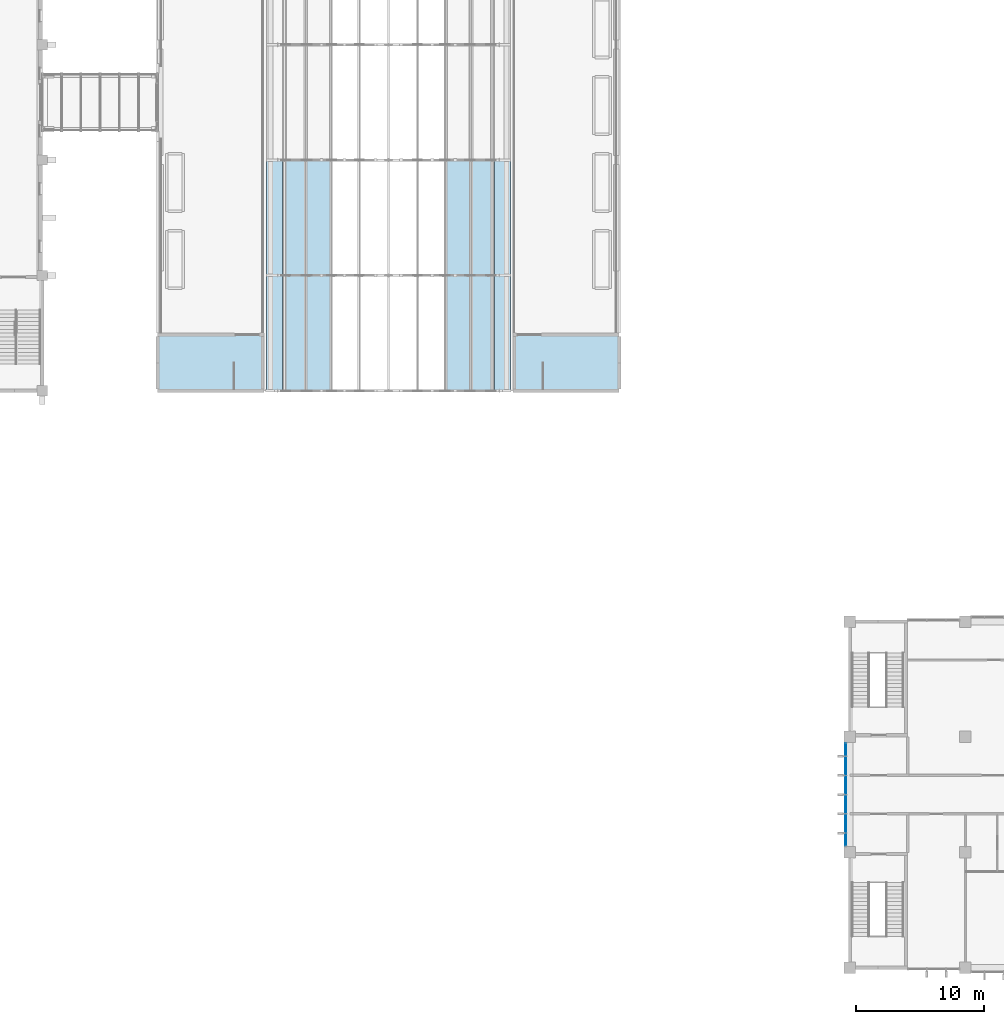
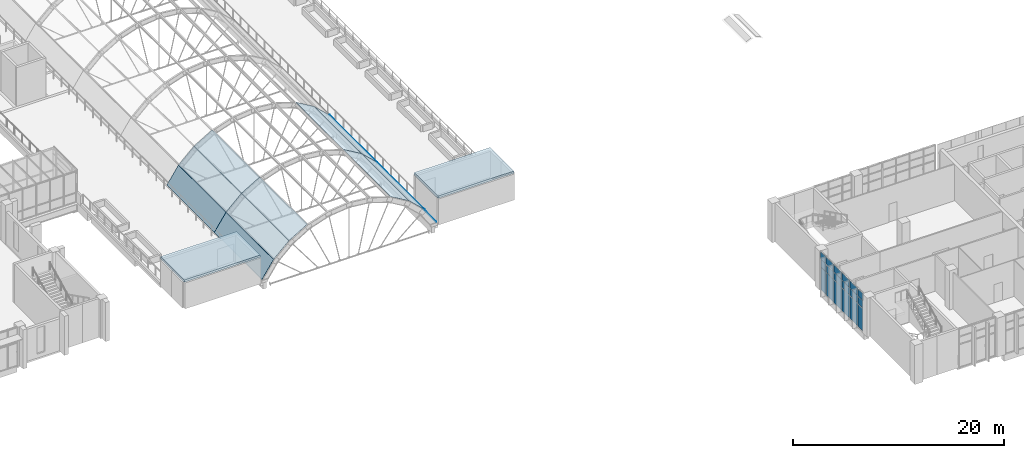
# One storey, part 43 of 79: 30 plates, 2 slabs, 1 element without a shape of its own.
"""IFC4 building model written with IfcOpenShell, lengths in metres."""

from ifc_helpers import new_model, si_unit, direction, frame, origin, origin_2d, place, context, subcontext, project, spatial, polyline, rectangle, outline, extrude, material, layer, layer_set, type_object, element, aggregate, save


model = new_model("IFC4")

# Units and contexts
model_context = context("Model", 3, precision=1e-05, world=origin(), true_north=direction((0.0, 1.0)))
body_context = subcontext(model_context, "Body", "Model", "MODEL_VIEW")
ifc_project = project(units=[si_unit("LENGTHUNIT", "METRE"), si_unit("AREAUNIT", "SQUARE_METRE"), si_unit("VOLUMEUNIT", "CUBIC_METRE"), si_unit("PLANEANGLEUNIT", "RADIAN"), si_unit("MASSUNIT", "GRAM", prefix="KILO")], contexts=[model_context])

# Site, building, storey
site_placement = place(None, origin())
site = spatial("IfcSite", under=ifc_project, at=site_placement, CompositionType="ELEMENT")
building_placement = place(site_placement, origin())
building = spatial("IfcBuilding", under=site, at=building_placement, Name="Guidao Yard Department Store", CompositionType="ELEMENT")
storey_placement = place(building_placement, frame((0.0, 0.0, 15.0)))
storey = spatial("IfcBuildingStorey", under=building, at=storey_placement, Name="L03", CompositionType="ELEMENT", Elevation=15.0)

# Plates
ifc_material_1 = material(Name="Laminated glass", Category="glass")
ifc_layer_1 = layer(ifc_material_1, 0.021484375)
ifc_layer_set_1 = layer_set([ifc_layer_1], Name="Roof glass RG3 laminated clear 10+10 PVB 1.52")
plate_type_1 = type_object("IfcPlateType", Name="Roof glass RG3 laminated clear 10+10 PVB 1.52", PredefinedType="SHEET", material=ifc_layer_set_1)
plate_1_placement = place(storey_placement, frame((80.470947265625, 45.0, 0.349365234375), z_axis=(-0.827148706248, 0.0, 0.561983111625), x_axis=(0.561983111625, 0.0, 0.827148706248)))
element("IfcPlate", 1, at=plate_1_placement, inside=storey, type_object=plate_type_1, Name="Roof glass C01-01", PredefinedType="SHEET", context=body_context, shape_type="SweptSolid", body=[
    extrude(outline(polyline([(0.0, 0.0), (2.2677088263643568, 0.0), (2.2677088263643568, 9.0), (0.0, 9.0), (0.0, 0.0)])), origin(), (0.0, 0.0, -1.0), 0.021484375),
])
plate_2_placement = place(storey_placement, frame((81.748291015625, 45.0, 2.228759765625), z_axis=(-0.684225314958, 0.0, 0.729270675656), x_axis=(0.729270675656, 0.0, 0.684225314958)))
element("IfcPlate", 2, at=plate_2_placement, inside=storey, type_object=plate_type_1, Name="Roof glass C01-02", PredefinedType="SHEET", context=body_context, shape_type="SweptSolid", body=[
    extrude(outline(polyline([(0.0, 0.0), (2.314290423247594, 0.0), (2.314290423247594, 9.0), (0.0, 9.0), (0.0, 0.0)])), origin(), (0.0, 0.0, -1.0), 0.021484375),
])
for number, where, z_axis, x_axis, name in (
    (3, (83.43994140625, 45.0, 3.815185546875), (-0.5105096659, 0.0, 0.859872014327), (0.859872014327, 0.0, 0.5105096659), "Roof glass C01-03"),
    (4, (94.55908203125, 45.0, 5.003173828125), (0.5105096659, 0.0, 0.859872014327), (0.859872014327, 0.0, -0.5105096659), "Roof glass C01-08"),
):
    element("IfcPlate", number, at=place(storey_placement, frame(where, z_axis=z_axis, x_axis=x_axis)), inside=storey, type_object=plate_type_1, Name=name, PredefinedType="SHEET", context=body_context, shape_type="SweptSolid", body=[
        extrude(outline(polyline([(0.0, 0.0), (2.3270632479719255, 0.0), (2.3270632479719255, 9.0), (0.0, 9.0), (0.0, 0.0)])), origin(), (0.0, 0.0, -1.0), 0.021484375),
    ])
plate_3_placement = place(storey_placement, frame((96.56396484375, 45.0, 3.812255859375), z_axis=(0.684225314958, 0.0, 0.729270675656), x_axis=(0.729270675656, 0.0, -0.684225314958)))
element("IfcPlate", 5, at=plate_3_placement, inside=storey, type_object=plate_type_1, Name="Roof glass C01-09", PredefinedType="SHEET", context=body_context, shape_type="SweptSolid", body=[
    extrude(outline(polyline([(0.0, 0.0), (2.314290423247594, 0.0), (2.314290423247594, 9.0), (0.0, 9.0), (0.0, 0.0)])), origin(), (0.0, 0.0, -1.0), 0.021484375),
])
for number, where, z_axis, x_axis, name in (
    (6, (98.254638671875, 45.0, 2.22509765625), (0.827148706248, 0.0, 0.561983111625), (0.561983111625, 0.0, -0.827148706248), "Roof glass C01-10"),
    (7, (80.470947265625, 54.0, 0.349365234375), (-0.827148706248, 0.0, 0.561983111625), (0.561983111625, 0.0, 0.827148706248), "Roof glass C02-01"),
):
    element("IfcPlate", number, at=place(storey_placement, frame(where, z_axis=z_axis, x_axis=x_axis)), inside=storey, type_object=plate_type_1, Name=name, PredefinedType="SHEET", context=body_context, shape_type="SweptSolid", body=[
        extrude(outline(polyline([(0.0, 0.0), (2.2677088263643568, 0.0), (2.2677088263643568, 9.0), (0.0, 9.0), (0.0, 0.0)])), origin(), (0.0, 0.0, -1.0), 0.021484375),
    ])
plate_4_placement = place(storey_placement, frame((81.748291015625, 54.0, 2.228759765625), z_axis=(-0.684225314958, 0.0, 0.729270675656), x_axis=(0.729270675656, 0.0, 0.684225314958)))
element("IfcPlate", 8, at=plate_4_placement, inside=storey, type_object=plate_type_1, Name="Roof glass C02-02", PredefinedType="SHEET", context=body_context, shape_type="SweptSolid", body=[
    extrude(outline(polyline([(0.0, 0.0), (2.314290423247594, 0.0), (2.314290423247594, 9.0), (0.0, 9.0), (0.0, 0.0)])), origin(), (0.0, 0.0, -1.0), 0.021484375),
])
for number, where, z_axis, x_axis, name in (
    (9, (83.43994140625, 54.0, 3.815185546875), (-0.5105096659, 0.0, 0.859872014327), (0.859872014327, 0.0, 0.5105096659), "Roof glass C02-03"),
    (10, (94.55908203125, 54.0, 5.003173828125), (0.5105096659, 0.0, 0.859872014327), (0.859872014327, 0.0, -0.5105096659), "Roof glass C02-08"),
):
    element("IfcPlate", number, at=place(storey_placement, frame(where, z_axis=z_axis, x_axis=x_axis)), inside=storey, type_object=plate_type_1, Name=name, PredefinedType="SHEET", context=body_context, shape_type="SweptSolid", body=[
        extrude(outline(polyline([(0.0, 0.0), (2.3270632479719255, 0.0), (2.3270632479719255, 9.0), (0.0, 9.0), (0.0, 0.0)])), origin(), (0.0, 0.0, -1.0), 0.021484375),
    ])
plate_5_placement = place(storey_placement, frame((96.56396484375, 54.0, 3.812255859375), z_axis=(0.684225314958, 0.0, 0.729270675656), x_axis=(0.729270675656, 0.0, -0.684225314958)))
element("IfcPlate", 11, at=plate_5_placement, inside=storey, type_object=plate_type_1, Name="Roof glass C02-09", PredefinedType="SHEET", context=body_context, shape_type="SweptSolid", body=[
    extrude(outline(polyline([(0.0, 0.0), (2.314290423247594, 0.0), (2.314290423247594, 9.0), (0.0, 9.0), (0.0, 0.0)])), origin(), (0.0, 0.0, -1.0), 0.021484375),
])
plate_6_placement = place(storey_placement, frame((98.254638671875, 54.0, 2.22509765625), z_axis=(0.827148706248, 0.0, 0.561983111625), x_axis=(0.561983111625, 0.0, -0.827148706248)))
element("IfcPlate", 12, at=plate_6_placement, inside=storey, type_object=plate_type_1, Name="Roof glass C02-10", PredefinedType="SHEET", context=body_context, shape_type="SweptSolid", body=[
    extrude(outline(polyline([(0.0, 0.0), (2.2677088263643568, 0.0), (2.2677088263643568, 9.0), (0.0, 9.0), (0.0, 0.0)])), origin(), (0.0, 0.0, -1.0), 0.021484375),
])

# Slabs
ifc_material_2 = material(Name="Concrete C35", Category="concrete")
ifc_layer_2 = layer(ifc_material_2, 0.25)
ifc_layer_set_2 = layer_set([ifc_layer_2], Name="Roof slab RC 250 C35 head house")
slab_type = type_object("IfcSlabType", Name="Roof slab RC 250 C35 head house", PredefinedType="ROOF", material=ifc_layer_set_2)
slab_1_placement = place(storey_placement, frame((0.0, 0.0, 3.0)))
element("IfcSlab", 13, at=slab_1_placement, inside=storey, type_object=slab_type, Name="Stair G1 head roof", PredefinedType="ROOF", context=body_context, shape_type="SweptSolid", body=[
    extrude(outline(polyline([(72.0, 45.0), (80.300048828125, 45.0), (80.300048828125, 49.5), (72.0, 49.5), (72.0, 45.0)])), origin(), (0.0, 0.0, 1.0), 0.25),
])
slab_2_placement = place(storey_placement, frame((0.0, 0.0, 3.0)))
element("IfcSlab", 14, at=slab_2_placement, inside=storey, type_object=slab_type, Name="Stair G3 head roof", PredefinedType="ROOF", context=body_context, shape_type="SweptSolid", body=[
    extrude(outline(polyline([(99.699951171875, 45.0), (108.0, 45.0), (108.0, 49.5), (99.699951171875, 49.5), (99.699951171875, 45.0)])), origin(), (0.0, 0.0, 1.0), 0.25),
])

# Curtain wall, plates
ifc_material_3 = material(Name="Aluminium and glass", Category="aluminium")
ifc_layer_3 = layer(ifc_material_3, 0.159912109375)
ifc_layer_set_3 = layer_set([ifc_layer_3], Name="Unitised curtain wall CW4 1500 module")
curtain_wall_type = type_object("IfcCurtainWallType", Name="Unitised curtain wall CW4 1500 module", PredefinedType="NOTDEFINED", material=ifc_layer_set_3)
curtain_wall_placement = place(storey_placement, origin())
curtain_wall = element("IfcCurtainWall", 15, at=curtain_wall_placement, inside=storey, type_object=curtain_wall_type, Name="Unitised curtain wall", PredefinedType="NOTDEFINED")
ifc_material_4 = material(Name="Aluminium 6063-T5 faced insulated spandrel", Category="aluminium")
ifc_layer_4 = layer(ifc_material_4, 0.06005859375)
ifc_layer_set_4 = layer_set([ifc_layer_4], Name="Spandrel panel SP1 insulated opaque")
plate_type_2 = type_object("IfcPlateType", Name="Spandrel panel SP1 insulated opaque", PredefinedType="CURTAIN_PANEL", material=ifc_layer_set_4)
plate_7_placement = place(storey_placement, frame((125.669921875, 9.989990234375, 3.6298828125), z_axis=(0.0, 0.0, 1.0), x_axis=(0.0, 1.0, 0.0)))
plate_7 = element("IfcPlate", 16, at=plate_7_placement, type_object=plate_type_2, Name="CW-OW-L03-05 panel 1.3", PredefinedType="CURTAIN_PANEL", context=body_context, shape_type="SweptSolid", body=[
    extrude(rectangle(XDim=0.9599609375, YDim=0.06005859375, at=origin_2d()), origin(), (0.0, 0.0, 1.0), 0.81005859375),
])
plate_8_placement = place(storey_placement, frame((125.669921875, 11.25, 3.6298828125), z_axis=(0.0, 0.0, 1.0), x_axis=(0.0, 1.0, 0.0)))
plate_8 = element("IfcPlate", 17, at=plate_8_placement, type_object=plate_type_2, Name="CW-OW-L03-05 panel 2.3", PredefinedType="CURTAIN_PANEL", context=body_context, shape_type="SweptSolid", body=[
    extrude(rectangle(XDim=1.43994140625, YDim=0.06005859375, at=origin_2d()), origin(), (0.0, 0.0, 1.0), 0.81005859375),
])
plate_9_placement = place(storey_placement, frame((125.669921875, 12.75, 3.6298828125), z_axis=(0.0, 0.0, 1.0), x_axis=(0.0, 1.0, 0.0)))
plate_9 = element("IfcPlate", 18, at=plate_9_placement, type_object=plate_type_2, Name="CW-OW-L03-05 panel 3.3", PredefinedType="CURTAIN_PANEL", context=body_context, shape_type="SweptSolid", body=[
    extrude(rectangle(XDim=1.43994140625, YDim=0.06005859375, at=origin_2d()), origin(), (0.0, 0.0, 1.0), 0.81005859375),
])
plate_10_placement = place(storey_placement, frame((125.669921875, 14.25, 3.6298828125), z_axis=(0.0, 0.0, 1.0), x_axis=(0.0, 1.0, 0.0)))
plate_10 = element("IfcPlate", 19, at=plate_10_placement, type_object=plate_type_2, Name="CW-OW-L03-05 panel 4.3", PredefinedType="CURTAIN_PANEL", context=body_context, shape_type="SweptSolid", body=[
    extrude(rectangle(XDim=1.43994140625, YDim=0.06005859375, at=origin_2d()), origin(), (0.0, 0.0, 1.0), 0.81005859375),
])
plate_11_placement = place(storey_placement, frame((125.669921875, 15.75, 3.6298828125), z_axis=(0.0, 0.0, 1.0), x_axis=(0.0, 1.0, 0.0)))
plate_11 = element("IfcPlate", 20, at=plate_11_placement, type_object=plate_type_2, Name="CW-OW-L03-05 panel 5.3", PredefinedType="CURTAIN_PANEL", context=body_context, shape_type="SweptSolid", body=[
    extrude(rectangle(XDim=1.43994140625, YDim=0.06005859375, at=origin_2d()), origin(), (0.0, 0.0, 1.0), 0.81005859375),
])
plate_12_placement = place(storey_placement, frame((125.669921875, 17.010009765625, 3.6298828125), z_axis=(0.0, 0.0, 1.0), x_axis=(0.0, 1.0, 0.0)))
plate_12 = element("IfcPlate", 21, at=plate_12_placement, type_object=plate_type_2, Name="CW-OW-L03-05 panel 6.3", PredefinedType="CURTAIN_PANEL", context=body_context, shape_type="SweptSolid", body=[
    extrude(rectangle(XDim=0.9599609375, YDim=0.06005859375, at=origin_2d()), origin(), (0.0, 0.0, 1.0), 0.81005859375),
])
ifc_material_5 = material(Name="Laminated heat-soaked tempered glass", Category="glass")
ifc_layer_5 = layer(ifc_material_5, 0.017578125)
ifc_layer_set_5 = layer_set([ifc_layer_5], Name="Vision glass VG1 laminated heat-soaked tempered 8+8")
plate_type_3 = type_object("IfcPlateType", Name="Vision glass VG1 laminated heat-soaked tempered 8+8", PredefinedType="CURTAIN_PANEL", material=ifc_layer_set_5)
plate_13_placement = place(storey_placement, frame((125.669921875, 9.989990234375, 0.06005859375), z_axis=(0.0, 0.0, 1.0), x_axis=(0.0, 1.0, 0.0)))
plate_13 = element("IfcPlate", 22, at=plate_13_placement, type_object=plate_type_3, Name="CW-OW-L03-05 panel 1.1", PredefinedType="CURTAIN_PANEL", context=body_context, shape_type="SweptSolid", body=[
    extrude(rectangle(XDim=0.9599609375, YDim=0.017578125, at=origin_2d()), origin(), (0.0, 0.0, 1.0), 2.610107421875),
])
plate_14_placement = place(storey_placement, frame((125.669921875, 9.989990234375, 2.72998046875), z_axis=(0.0, 0.0, 1.0), x_axis=(0.0, 1.0, 0.0)))
plate_14 = element("IfcPlate", 23, at=plate_14_placement, type_object=plate_type_3, Name="CW-OW-L03-05 panel 1.2", PredefinedType="CURTAIN_PANEL", context=body_context, shape_type="SweptSolid", body=[
    extrude(rectangle(XDim=0.9599609375, YDim=0.017578125, at=origin_2d()), origin(), (0.0, 0.0, 1.0), 0.840087890625),
])
plate_15_placement = place(storey_placement, frame((125.669921875, 11.25, 0.06005859375), z_axis=(0.0, 0.0, 1.0), x_axis=(0.0, 1.0, 0.0)))
plate_15 = element("IfcPlate", 24, at=plate_15_placement, type_object=plate_type_3, Name="CW-OW-L03-05 panel 2.1", PredefinedType="CURTAIN_PANEL", context=body_context, shape_type="SweptSolid", body=[
    extrude(rectangle(XDim=1.43994140625, YDim=0.017578125, at=origin_2d()), origin(), (0.0, 0.0, 1.0), 2.610107421875),
])
plate_16_placement = place(storey_placement, frame((125.669921875, 11.25, 2.72998046875), z_axis=(0.0, 0.0, 1.0), x_axis=(0.0, 1.0, 0.0)))
plate_16 = element("IfcPlate", 25, at=plate_16_placement, type_object=plate_type_3, Name="CW-OW-L03-05 panel 2.2", PredefinedType="CURTAIN_PANEL", context=body_context, shape_type="SweptSolid", body=[
    extrude(rectangle(XDim=1.43994140625, YDim=0.017578125, at=origin_2d()), origin(), (0.0, 0.0, 1.0), 0.840087890625),
])
plate_17_placement = place(storey_placement, frame((125.669921875, 12.75, 0.06005859375), z_axis=(0.0, 0.0, 1.0), x_axis=(0.0, 1.0, 0.0)))
plate_17 = element("IfcPlate", 26, at=plate_17_placement, type_object=plate_type_3, Name="CW-OW-L03-05 panel 3.1", PredefinedType="CURTAIN_PANEL", context=body_context, shape_type="SweptSolid", body=[
    extrude(rectangle(XDim=1.43994140625, YDim=0.017578125, at=origin_2d()), origin(), (0.0, 0.0, 1.0), 2.610107421875),
])
plate_18_placement = place(storey_placement, frame((125.669921875, 12.75, 2.72998046875), z_axis=(0.0, 0.0, 1.0), x_axis=(0.0, 1.0, 0.0)))
plate_18 = element("IfcPlate", 27, at=plate_18_placement, type_object=plate_type_3, Name="CW-OW-L03-05 panel 3.2", PredefinedType="CURTAIN_PANEL", context=body_context, shape_type="SweptSolid", body=[
    extrude(rectangle(XDim=1.43994140625, YDim=0.017578125, at=origin_2d()), origin(), (0.0, 0.0, 1.0), 0.840087890625),
])
plate_19_placement = place(storey_placement, frame((125.669921875, 14.25, 0.06005859375), z_axis=(0.0, 0.0, 1.0), x_axis=(0.0, 1.0, 0.0)))
plate_19 = element("IfcPlate", 28, at=plate_19_placement, type_object=plate_type_3, Name="CW-OW-L03-05 panel 4.1", PredefinedType="CURTAIN_PANEL", context=body_context, shape_type="SweptSolid", body=[
    extrude(rectangle(XDim=1.43994140625, YDim=0.017578125, at=origin_2d()), origin(), (0.0, 0.0, 1.0), 2.610107421875),
])
plate_20_placement = place(storey_placement, frame((125.669921875, 14.25, 2.72998046875), z_axis=(0.0, 0.0, 1.0), x_axis=(0.0, 1.0, 0.0)))
plate_20 = element("IfcPlate", 29, at=plate_20_placement, type_object=plate_type_3, Name="CW-OW-L03-05 panel 4.2", PredefinedType="CURTAIN_PANEL", context=body_context, shape_type="SweptSolid", body=[
    extrude(rectangle(XDim=1.43994140625, YDim=0.017578125, at=origin_2d()), origin(), (0.0, 0.0, 1.0), 0.840087890625),
])
plate_21_placement = place(storey_placement, frame((125.669921875, 15.75, 0.06005859375), z_axis=(0.0, 0.0, 1.0), x_axis=(0.0, 1.0, 0.0)))
plate_21 = element("IfcPlate", 30, at=plate_21_placement, type_object=plate_type_3, Name="CW-OW-L03-05 panel 5.1", PredefinedType="CURTAIN_PANEL", context=body_context, shape_type="SweptSolid", body=[
    extrude(rectangle(XDim=1.43994140625, YDim=0.017578125, at=origin_2d()), origin(), (0.0, 0.0, 1.0), 2.610107421875),
])
plate_22_placement = place(storey_placement, frame((125.669921875, 15.75, 2.72998046875), z_axis=(0.0, 0.0, 1.0), x_axis=(0.0, 1.0, 0.0)))
plate_22 = element("IfcPlate", 31, at=plate_22_placement, type_object=plate_type_3, Name="CW-OW-L03-05 panel 5.2", PredefinedType="CURTAIN_PANEL", context=body_context, shape_type="SweptSolid", body=[
    extrude(rectangle(XDim=1.43994140625, YDim=0.017578125, at=origin_2d()), origin(), (0.0, 0.0, 1.0), 0.840087890625),
])
plate_23_placement = place(storey_placement, frame((125.669921875, 17.010009765625, 0.06005859375), z_axis=(0.0, 0.0, 1.0), x_axis=(0.0, 1.0, 0.0)))
plate_23 = element("IfcPlate", 32, at=plate_23_placement, type_object=plate_type_3, Name="CW-OW-L03-05 panel 6.1", PredefinedType="CURTAIN_PANEL", context=body_context, shape_type="SweptSolid", body=[
    extrude(rectangle(XDim=0.9599609375, YDim=0.017578125, at=origin_2d()), origin(), (0.0, 0.0, 1.0), 2.610107421875),
])
plate_24_placement = place(storey_placement, frame((125.669921875, 17.010009765625, 2.72998046875), z_axis=(0.0, 0.0, 1.0), x_axis=(0.0, 1.0, 0.0)))
plate_24 = element("IfcPlate", 33, at=plate_24_placement, type_object=plate_type_3, Name="CW-OW-L03-05 panel 6.2", PredefinedType="CURTAIN_PANEL", context=body_context, shape_type="SweptSolid", body=[
    extrude(rectangle(XDim=0.9599609375, YDim=0.017578125, at=origin_2d()), origin(), (0.0, 0.0, 1.0), 0.840087890625),
])
aggregate(curtain_wall, [plate_13, plate_14, plate_7, plate_15, plate_16, plate_8, plate_17, plate_18, plate_9, plate_19, plate_20, plate_10, plate_21, plate_22, plate_11, plate_23, plate_24, plate_12])

save(model, "model.ifc")
